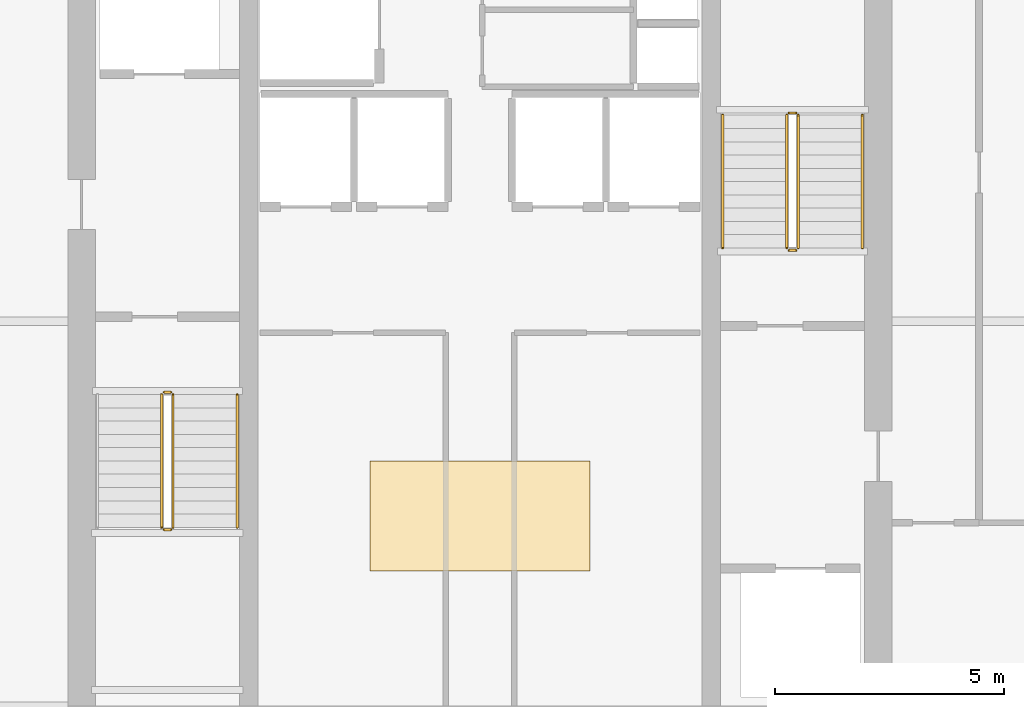
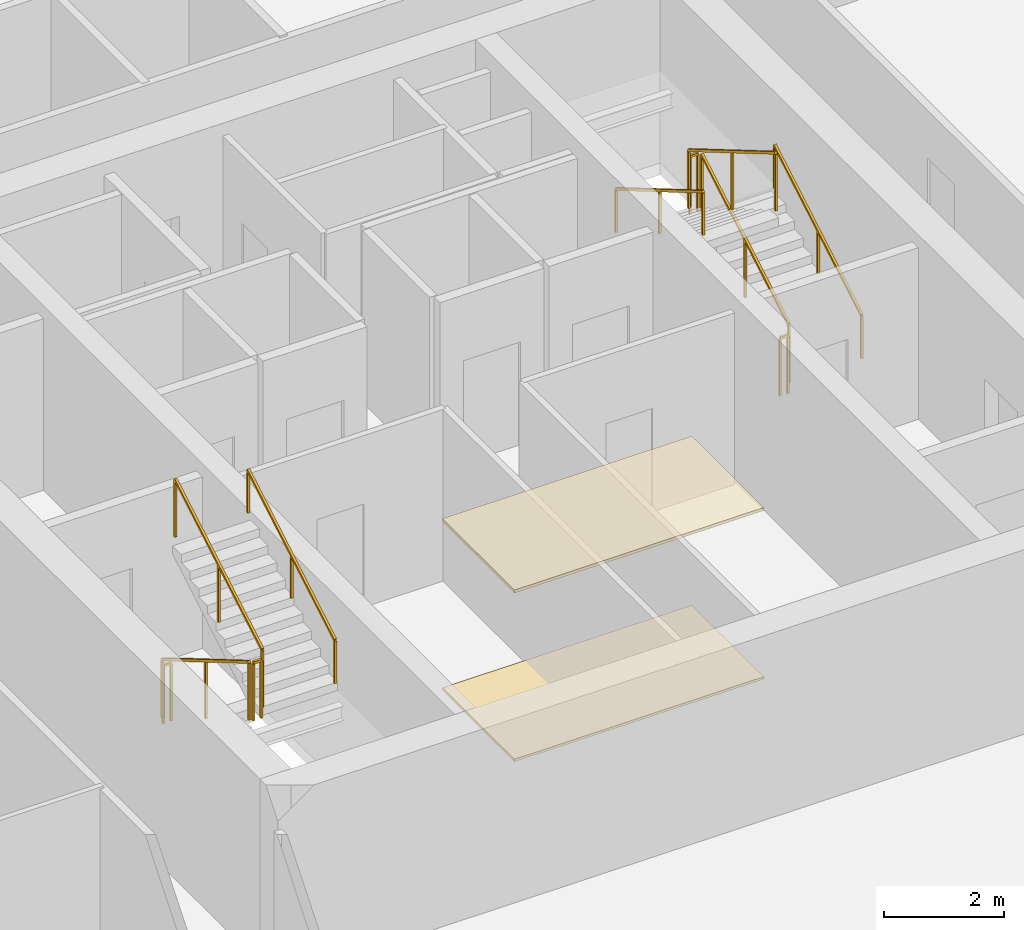
# One storey, part 19 of 20: 11 railings, 2 coverings.
"""IFC4 building model written with IfcOpenShell, lengths in metres."""

from ifc_helpers import new_model, si_unit, direction, frame, origin, origin_2d, place, context, subcontext, project, spatial, polyline, rectangle, outline, extrude, material, layer, layer_set, type_object, element, save


model = new_model("IFC4")

# Units and contexts
model_context = context("Model", 3, precision=1e-05, world=origin(), true_north=direction((0.0, 1.0)))
body_context = subcontext(model_context, "Body", "Model", "MODEL_VIEW")
ifc_project = project(units=[si_unit("LENGTHUNIT", "METRE"), si_unit("AREAUNIT", "SQUARE_METRE"), si_unit("VOLUMEUNIT", "CUBIC_METRE"), si_unit("PLANEANGLEUNIT", "RADIAN"), si_unit("MASSUNIT", "GRAM", prefix="KILO")], contexts=[model_context])

# Site, building, storey
site_placement = place(None, origin())
site = spatial("IfcSite", under=ifc_project, at=site_placement, CompositionType="ELEMENT")
building_placement = place(site_placement, origin())
building = spatial("IfcBuilding", under=site, at=building_placement, Name="Belovzor Exchange Tower", CompositionType="ELEMENT")
storey_placement = place(building_placement, frame((0.0, 0.0, 351.75)))
storey = spatial("IfcBuildingStorey", under=building, at=storey_placement, Name="L88", CompositionType="ELEMENT", Elevation=351.75)

# Railings
ifc_material_1 = material(Name="Stainless Steel Grade 304", Category="steel")
railing_type_1 = type_object("IfcRailingType", Name="Brushed Stainless Steel Stair Handrail 900", PredefinedType="HANDRAIL", material=ifc_material_1)
railing_1_placement = place(storey_placement, frame((23.5, 24.300048828125, 2.04541015625)))
element("IfcRailing", 1, at=railing_1_placement, inside=storey, type_object=railing_type_1, Name="L88 ST-1 stair handrail 2", PredefinedType="HANDRAIL", context=body_context, shape_type="SweptSolid", body=[
    extrude(rectangle(XDim=0.048095703125, YDim=0.048095703125, at=origin_2d()), frame((0.0, 0.0, 0.8759765625), z_axis=(0.0, 0.86209462966, 0.506747323142), x_axis=(-1.0, 0.0, 0.0)), (0.0, 0.0, 1.0), 3.36376953125),
    extrude(rectangle(XDim=0.0419921875, YDim=0.0419921875, at=origin_2d()), origin(), (0.0, 0.0, 1.0), 0.851806640625),
    extrude(rectangle(XDim=0.0419921875, YDim=0.0419921875, at=origin_2d()), frame((0.0, 1.449951171875, 0.852294921875)), (0.0, 0.0, 1.0), 0.851806640625),
    extrude(rectangle(XDim=0.0419921875, YDim=0.0419921875, at=origin_2d()), frame((0.0, 2.89990234375, 1.70458984375)), (0.0, 0.0, 1.0), 0.851806640625),
])
railing_2_placement = place(storey_placement, frame((37.14990234375, 30.39990234375, 0.17041015625)))
element("IfcRailing", 2, at=railing_2_placement, inside=storey, type_object=railing_type_1, Name="L88 ST-2 stair handrail 1", PredefinedType="HANDRAIL", context=body_context, shape_type="SweptSolid", body=[
    extrude(rectangle(XDim=0.048095703125, YDim=0.048095703125, at=origin_2d()), frame((0.0, 0.0, 0.8759765625), z_axis=(0.0, 0.862113265706, 0.506715617574), x_axis=(-1.0, 0.0, 0.0)), (0.0, 0.0, 1.0), 3.364013671875),
    extrude(rectangle(XDim=0.0419921875, YDim=0.0419921875, at=origin_2d()), origin(), (0.0, 0.0, 1.0), 0.851806640625),
    extrude(rectangle(XDim=0.0419921875, YDim=0.0419921875, at=origin_2d()), frame((0.0, 1.4501953125, 0.852294921875)), (0.0, 0.0, 1.0), 0.851806640625),
    extrude(rectangle(XDim=0.0419921875, YDim=0.0419921875, at=origin_2d()), frame((0.0, 2.900146484375, 1.70458984375)), (0.0, 0.0, 1.0), 0.851806640625),
])
railing_3_placement = place(storey_placement, frame((34.10009765625, 33.300048828125, 2.04541015625)))
element("IfcRailing", 3, at=railing_3_placement, inside=storey, type_object=railing_type_1, Name="L88 ST-2 stair handrail 2", PredefinedType="HANDRAIL", context=body_context, shape_type="SweptSolid", body=[
    extrude(rectangle(XDim=0.048095703125, YDim=0.048095703125, at=origin_2d()), frame((0.0, 0.0, 0.8759765625), z_axis=(0.0, -0.862113265706, 0.506715617574), x_axis=(1.0, 0.0, 0.0)), (0.0, 0.0, 1.0), 3.364013671875),
    extrude(rectangle(XDim=0.0419921875, YDim=0.0419921875, at=origin_2d()), origin(), (0.0, 0.0, 1.0), 0.851806640625),
    extrude(rectangle(XDim=0.0419921875, YDim=0.0419921875, at=origin_2d()), frame((0.0, -1.4501953125, 0.852294921875)), (0.0, 0.0, 1.0), 0.851806640625),
    extrude(rectangle(XDim=0.0419921875, YDim=0.0419921875, at=origin_2d()), frame((0.0, -2.900146484375, 1.70458984375)), (0.0, 0.0, 1.0), 0.851806640625),
])
ifc_material_2 = material(Name="Steel S355", Category="steel")
railing_type_2 = type_object("IfcRailingType", Name="Painted Steel Stairwell Guardrail 1200", PredefinedType="GUARDRAIL", material=ifc_material_2)
railing_4_placement = place(storey_placement, frame((21.85009765625, 27.199951171875, 0.17041015625)))
element("IfcRailing", 4, at=railing_4_placement, inside=storey, type_object=railing_type_2, Name="L88 ST-1 stair guard 1", PredefinedType="GUARDRAIL", context=body_context, shape_type="SweptSolid", body=[
    extrude(rectangle(XDim=0.048095703125, YDim=0.048095703125, at=origin_2d()), frame((0.0, 0.0, 1.17578125), z_axis=(0.0, -0.86209462966, 0.506747323142), x_axis=(1.0, 0.0, 0.0)), (0.0, 0.0, 1.0), 3.36376953125),
    extrude(rectangle(XDim=0.0419921875, YDim=0.0419921875, at=origin_2d()), origin(), (0.0, 0.0, 1.0), 1.15185546875),
    extrude(rectangle(XDim=0.0419921875, YDim=0.0419921875, at=origin_2d()), frame((0.0, -1.449951171875, 0.852294921875)), (0.0, 0.0, 1.0), 1.15185546875),
    extrude(rectangle(XDim=0.0419921875, YDim=0.0419921875, at=origin_2d()), frame((0.0, -2.89990234375, 1.70458984375)), (0.0, 0.0, 1.0), 1.15185546875),
])
railing_5_placement = place(storey_placement, frame((21.89990234375, 24.25, 1.875)))
element("IfcRailing", 5, at=railing_5_placement, inside=storey, type_object=railing_type_2, Name="L88 ST-1 stair guard 2", PredefinedType="GUARDRAIL", context=body_context, shape_type="SweptSolid", body=[
    extrude(rectangle(XDim=0.048095703125, YDim=0.048095703125, at=origin_2d()), frame((0.0, 0.0, 1.17578125), z_axis=(1.0, 0.0, 0.0), x_axis=(0.0, 1.0, 0.0)), (0.0, 0.0, 1.0), 0.150146484375),
    extrude(rectangle(XDim=0.0419921875, YDim=0.0419921875, at=origin_2d()), origin(), (0.0, 0.0, 1.0), 1.15185546875),
    extrude(rectangle(XDim=0.0419921875, YDim=0.0419921875, at=origin_2d()), frame((0.150146484375, 0.0, 0.0)), (0.0, 0.0, 1.0), 1.15185546875),
])
railing_6_placement = place(storey_placement, frame((22.10009765625, 24.300048828125, 2.04541015625)))
element("IfcRailing", 6, at=railing_6_placement, inside=storey, type_object=railing_type_2, Name="L88 ST-1 stair guard 3", PredefinedType="GUARDRAIL", context=body_context, shape_type="SweptSolid", body=[
    extrude(rectangle(XDim=0.048095703125, YDim=0.048095703125, at=origin_2d()), frame((0.0, 0.0, 1.17578125), z_axis=(0.0, 0.86209462966, 0.506747323142), x_axis=(-1.0, 0.0, 0.0)), (0.0, 0.0, 1.0), 3.36376953125),
    extrude(rectangle(XDim=0.0419921875, YDim=0.0419921875, at=origin_2d()), origin(), (0.0, 0.0, 1.0), 1.15185546875),
    extrude(rectangle(XDim=0.0419921875, YDim=0.0419921875, at=origin_2d()), frame((0.0, 1.449951171875, 0.852294921875)), (0.0, 0.0, 1.0), 1.15185546875),
    extrude(rectangle(XDim=0.0419921875, YDim=0.0419921875, at=origin_2d()), frame((0.0, 2.89990234375, 1.70458984375)), (0.0, 0.0, 1.0), 1.15185546875),
])
railing_7_placement = place(storey_placement, frame((21.89990234375, 27.25, 0.0)))
element("IfcRailing", 7, at=railing_7_placement, inside=storey, type_object=railing_type_2, Name="L88 ST-1 stair guard 4", PredefinedType="GUARDRAIL", context=body_context, shape_type="SweptSolid", body=[
    extrude(rectangle(XDim=0.048095703125, YDim=0.048095703125, at=origin_2d()), frame((0.0, 0.0, 1.17578125), z_axis=(1.0, 0.0, 0.0), x_axis=(0.0, 1.0, 0.0)), (0.0, 0.0, 1.0), 0.150146484375),
    extrude(rectangle(XDim=0.0419921875, YDim=0.0419921875, at=origin_2d()), origin(), (0.0, 0.0, 1.0), 1.15185546875),
    extrude(rectangle(XDim=0.0419921875, YDim=0.0419921875, at=origin_2d()), frame((0.150146484375, 0.0, 0.0)), (0.0, 0.0, 1.0), 1.15185546875),
])
railing_8_placement = place(storey_placement, frame((35.75, 30.39990234375, 0.17041015625)))
element("IfcRailing", 8, at=railing_8_placement, inside=storey, type_object=railing_type_2, Name="L88 ST-2 stair guard 1", PredefinedType="GUARDRAIL", context=body_context, shape_type="SweptSolid", body=[
    extrude(rectangle(XDim=0.048095703125, YDim=0.048095703125, at=origin_2d()), frame((0.0, 0.0, 1.17578125), z_axis=(0.0, 0.862113265706, 0.506715617574), x_axis=(-1.0, 0.0, 0.0)), (0.0, 0.0, 1.0), 3.364013671875),
    extrude(rectangle(XDim=0.0419921875, YDim=0.0419921875, at=origin_2d()), origin(), (0.0, 0.0, 1.0), 1.15185546875),
    extrude(rectangle(XDim=0.0419921875, YDim=0.0419921875, at=origin_2d()), frame((0.0, 1.4501953125, 0.852294921875)), (0.0, 0.0, 1.0), 1.15185546875),
    extrude(rectangle(XDim=0.0419921875, YDim=0.0419921875, at=origin_2d()), frame((0.0, 2.900146484375, 1.70458984375)), (0.0, 0.0, 1.0), 1.15185546875),
])
railing_9_placement = place(storey_placement, frame((35.699951171875, 33.35009765625, 1.875)))
element("IfcRailing", 9, at=railing_9_placement, inside=storey, type_object=railing_type_2, Name="L88 ST-2 stair guard 2", PredefinedType="GUARDRAIL", context=body_context, shape_type="SweptSolid", body=[
    extrude(rectangle(XDim=0.048095703125, YDim=0.048095703125, at=origin_2d()), frame((0.0, 0.0, 1.17578125), z_axis=(-1.0, 0.0, 0.0), x_axis=(0.0, -1.0, 0.0)), (0.0, 0.0, 1.0), 0.14990234375),
    extrude(rectangle(XDim=0.0419921875, YDim=0.0419921875, at=origin_2d()), origin(), (0.0, 0.0, 1.0), 1.15185546875),
    extrude(rectangle(XDim=0.0419921875, YDim=0.0419921875, at=origin_2d()), frame((-0.14990234375, 0.0, 0.0)), (0.0, 0.0, 1.0), 1.15185546875),
])
railing_10_placement = place(storey_placement, frame((35.5, 33.300048828125, 2.04541015625)))
element("IfcRailing", 10, at=railing_10_placement, inside=storey, type_object=railing_type_2, Name="L88 ST-2 stair guard 3", PredefinedType="GUARDRAIL", context=body_context, shape_type="SweptSolid", body=[
    extrude(rectangle(XDim=0.048095703125, YDim=0.048095703125, at=origin_2d()), frame((0.0, 0.0, 1.17578125), z_axis=(0.0, -0.862113265706, 0.506715617574), x_axis=(1.0, 0.0, 0.0)), (0.0, 0.0, 1.0), 3.364013671875),
    extrude(rectangle(XDim=0.0419921875, YDim=0.0419921875, at=origin_2d()), origin(), (0.0, 0.0, 1.0), 1.15185546875),
    extrude(rectangle(XDim=0.0419921875, YDim=0.0419921875, at=origin_2d()), frame((0.0, -1.4501953125, 0.852294921875)), (0.0, 0.0, 1.0), 1.15185546875),
    extrude(rectangle(XDim=0.0419921875, YDim=0.0419921875, at=origin_2d()), frame((0.0, -2.900146484375, 1.70458984375)), (0.0, 0.0, 1.0), 1.15185546875),
])
railing_11_placement = place(storey_placement, frame((35.699951171875, 30.35009765625, 0.0)))
element("IfcRailing", 11, at=railing_11_placement, inside=storey, type_object=railing_type_2, Name="L88 ST-2 stair guard 4", PredefinedType="GUARDRAIL", context=body_context, shape_type="SweptSolid", body=[
    extrude(rectangle(XDim=0.048095703125, YDim=0.048095703125, at=origin_2d()), frame((0.0, 0.0, 1.17578125), z_axis=(-1.0, 0.0, 0.0), x_axis=(0.0, -1.0, 0.0)), (0.0, 0.0, 1.0), 0.14990234375),
    extrude(rectangle(XDim=0.0419921875, YDim=0.0419921875, at=origin_2d()), origin(), (0.0, 0.0, 1.0), 1.15185546875),
    extrude(rectangle(XDim=0.0419921875, YDim=0.0419921875, at=origin_2d()), frame((-0.14990234375, 0.0, 0.0)), (0.0, 0.0, 1.0), 1.15185546875),
])

# Coverings
ifc_material_3 = material(Name="Perforated Powder-Coated Aluminium", Category="aluminium")
ifc_layer_1 = layer(ifc_material_3, 0.06005859375)
ifc_layer_set_1 = layer_set([ifc_layer_1], Name="Perforated Powder-Coated Aluminium")
covering_type_1 = type_object("IfcCoveringType", Name="Perforated Acoustic Metal Tile Suspended Ceiling 60", PredefinedType="CEILING", material=ifc_layer_set_1)
covering_1_placement = place(storey_placement, frame((0.0, 0.0, 3.429931640625)))
element("IfcCovering", 12, at=covering_1_placement, inside=storey, type_object=covering_type_1, Name="CLG-AC60 Suspended Ceiling CLG-L88-LOB", PredefinedType="CEILING", context=body_context, shape_type="SweptSolid", body=[
    extrude(outline(polyline([(26.39990234375, 23.35009765625), (31.199951171875, 23.35009765625), (31.199951171875, 25.75), (26.39990234375, 25.75), (26.39990234375, 23.35009765625)])), origin(), (0.0, 0.0, 1.0), 0.06005859375),
])
ifc_material_4 = material(Name="Polished Natural Granite Tile", Category="masonry")
ifc_layer_2 = layer(ifc_material_4, 0.050048828125)
ifc_layer_set_2 = layer_set([ifc_layer_2], Name="Polished Natural Granite Tile")
covering_type_2 = type_object("IfcCoveringType", Name="Polished Karelian Granite & Raised Access Floor Finish 50", PredefinedType="FLOORING", material=ifc_layer_set_2)
covering_2_placement = place(storey_placement, origin())
element("IfcCovering", 13, at=covering_2_placement, inside=storey, type_object=covering_type_2, Name="FLR-GR50 Floor Finish FLR-L88-LOB", PredefinedType="FLOORING", context=body_context, shape_type="SweptSolid", body=[
    extrude(outline(polyline([(26.39990234375, 23.35009765625), (31.199951171875, 23.35009765625), (31.199951171875, 25.75), (26.39990234375, 25.75), (26.39990234375, 23.35009765625)])), origin(), (0.0, 0.0, 1.0), 0.050048828125),
])

save(model, "model.ifc")
